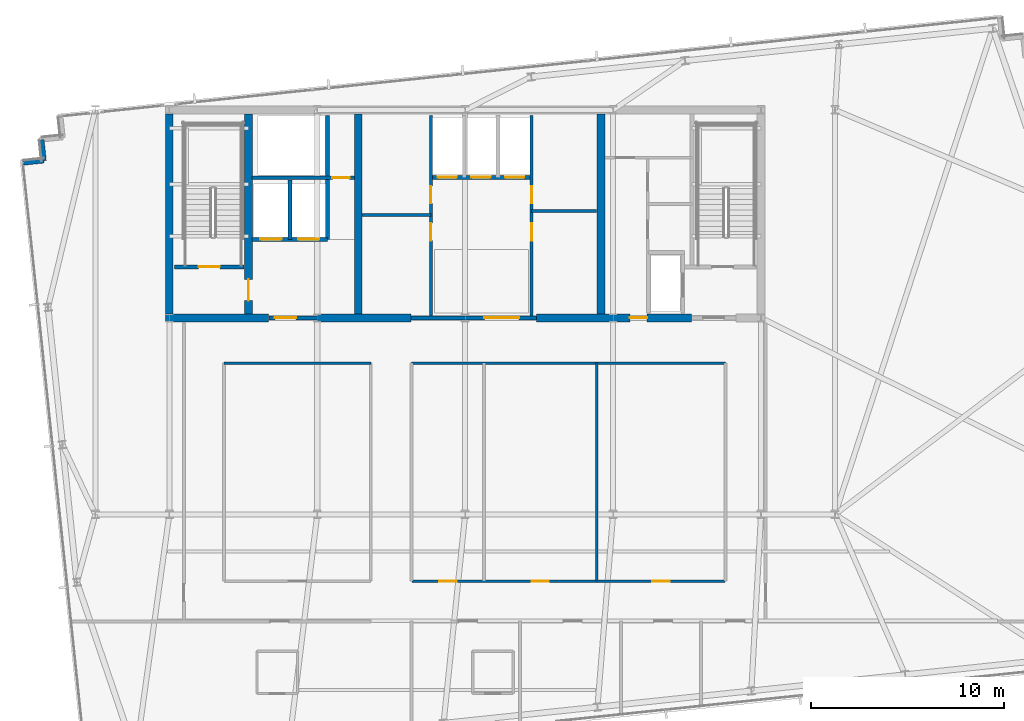
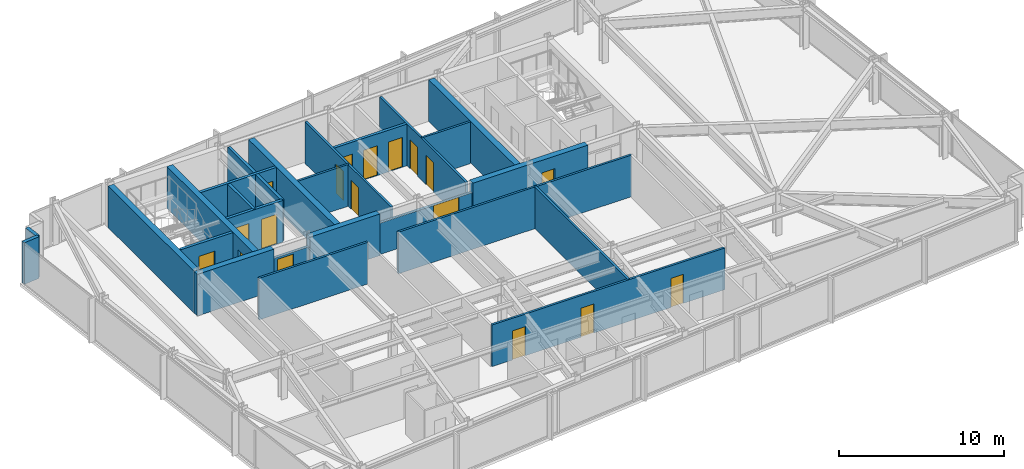
# One storey, part 27 of 32: 25 walls, 18 doors, 18 openings.
"""IFC4 building model written with IfcOpenShell, lengths in metres."""

import ifcopenshell
import ifcopenshell.guid

model = None  # the IFC model being written
_history = None  # IfcOwnerHistory: only IFC2X3 demands one
_inside = {}  # id of a spatial element -> (the spatial element, [elements in it])
_under = {}  # id of a project, library or spatial element -> (it, [spatial elements below it])
_declared = {}  # id of a project -> (the project, [libraries it declares])
_typed = {}  # id of a type object -> (the type object, [elements of that type])
_made_of = {}  # id of a material, layer set ... -> (it, [elements and type objects made of it])


def new_model(schema):
    """Start an empty IFC model of exactly this schema.

    Asked for "IFC4X3", IfcOpenShell would pick the latest addendum, in which some entities
    have other attributes; the version numbers below select the first issue.
    IFC2X3 requires an IfcOwnerHistory on every rooted entity: one is made here for all.
    """
    global model, _history
    if schema == "IFC4X3":
        model = ifcopenshell.file(schema_version=(4, 3, 0, 0))
    else:
        model = ifcopenshell.file(schema=schema)
    _inside.clear()
    _under.clear()
    _declared.clear()
    _typed.clear()
    _made_of.clear()
    _history = None
    if model.schema == "IFC2X3":
        org = make("IfcOrganization", Name="unknown")
        user = make(
            "IfcPersonAndOrganization",
            ThePerson=make("IfcPerson", FamilyName="unknown"),
            TheOrganization=org,
        )
        app = make(
            "IfcApplication",
            ApplicationDeveloper=org,
            Version="unknown",
            ApplicationFullName="unknown",
            ApplicationIdentifier="unknown",
        )
        _history = make(
            "IfcOwnerHistory",
            OwningUser=user,
            OwningApplication=app,
            ChangeAction="ADDED",
            CreationDate=0,
        )
    return model


def make(cls, **values):
    """One entity of the class cls with the attributes given. An attribute that is None is left unset."""
    return model.create_entity(
        cls, **{name: value for name, value in values.items() if value is not None}
    )


def rooted(cls, **values):
    """An entity with a GlobalId (a new one), such as an element, a storey or a relation."""
    return make(cls, GlobalId=ifcopenshell.guid.new(), OwnerHistory=_history, **values)


def si_unit(unit_type, name, prefix=None):
    """IfcSIUnit, for example si_unit("LENGTHUNIT", "METRE", prefix="MILLI")."""
    return make("IfcSIUnit", UnitType=unit_type, Prefix=prefix, Name=name)


def assignment(units):
    """IfcUnitAssignment: the units of a project."""
    return None if units is None else make("IfcUnitAssignment", Units=units)


def point(xyz):
    """IfcCartesianPoint."""
    return None if xyz is None else make("IfcCartesianPoint", Coordinates=xyz)


def direction(xyz):
    """IfcDirection."""
    return None if xyz is None else make("IfcDirection", DirectionRatios=xyz)


def frame(location, z_axis=None, x_axis=None):
    """IfcAxis2Placement3D, a coordinate frame: its origin and axes. An axis left out is left unset."""
    return make(
        "IfcAxis2Placement3D",
        Location=point(location),
        Axis=direction(z_axis),
        RefDirection=direction(x_axis),
    )


def frame_2d(location, x_axis=None):
    """IfcAxis2Placement2D, a coordinate frame in the plane: its origin and x axis."""
    return make(
        "IfcAxis2Placement2D", Location=point(location), RefDirection=direction(x_axis)
    )


def origin():
    """The frame at (0, 0, 0) with its axes left unset."""
    return frame((0.0, 0.0, 0.0))


def place(relative_to, where):
    """IfcLocalPlacement: puts the frame where relative to a parent placement (None: the world)."""
    return make(
        "IfcLocalPlacement", PlacementRelTo=relative_to, RelativePlacement=where
    )


def context(
    kind, dimensions, precision=None, world=None, true_north=None, identifier=None
):
    """IfcGeometricRepresentationContext, for example the 3D "Model" context."""
    return make(
        "IfcGeometricRepresentationContext",
        ContextIdentifier=identifier,
        ContextType=kind,
        CoordinateSpaceDimension=dimensions,
        Precision=precision,
        WorldCoordinateSystem=world,
        TrueNorth=true_north,
    )


def subcontext(parent, identifier, kind, view, scale=None):
    """IfcGeometricRepresentationSubContext, for example "Body" below "Model"."""
    return make(
        "IfcGeometricRepresentationSubContext",
        ContextIdentifier=identifier,
        ContextType=kind,
        ParentContext=parent,
        TargetScale=scale,
        TargetView=view,
    )


def project(units=None, contexts=None):
    """IfcProject with its units and contexts."""
    return rooted(
        "IfcProject",
        Name="project",
        RepresentationContexts=contexts,
        UnitsInContext=assignment(units),
    )


def spatial(cls, under=None, at=None, **own):
    """A site, building, storey or space (cls), placed at a placement, below another one or the project."""
    s = rooted(cls, ObjectPlacement=at, **own)
    if under is not None:
        _under.setdefault(under.id(), (under, []))[1].append(s)
    return s


def profile(cls, at=None, kind="AREA", **sizes):
    """A parametric profile (cls). Its sizes go by their IFC names, for example OverallWidth=200.0."""
    return make(cls, ProfileType=kind, Position=at, **sizes)


def rectangle(**sizes):
    """IfcRectangleProfileDef."""
    return profile("IfcRectangleProfileDef", **sizes)


def extrude(swept, where, along, depth):
    """IfcExtrudedAreaSolid: the profile swept, set in the frame where, extruded along a direction by depth."""
    return make(
        "IfcExtrudedAreaSolid",
        SweptArea=swept,
        Position=where,
        ExtrudedDirection=direction(along),
        Depth=depth,
    )


def shape(context_of_items, identifier, shape_type, items):
    """IfcShapeRepresentation: the items that make up one representation, for example the "Body"."""
    return make(
        "IfcShapeRepresentation",
        ContextOfItems=context_of_items,
        RepresentationIdentifier=identifier,
        RepresentationType=shape_type,
        Items=items,
    )


def material(Name=None, Category=None):
    """IfcMaterial."""
    return make("IfcMaterial", Name=Name, Category=Category)


def layer(
    of_material, thickness, ventilated=None, Name=None, Category=None, Priority=None
):
    """IfcMaterialLayer: one layer of a wall or slab, of a material (None: an air gap)."""
    return make(
        "IfcMaterialLayer",
        Material=of_material,
        LayerThickness=thickness,
        IsVentilated=ventilated,
        Name=Name,
        Category=Category,
        Priority=Priority,
    )


def layer_set(layers, Name=None):
    """IfcMaterialLayerSet."""
    return make("IfcMaterialLayerSet", MaterialLayers=layers, LayerSetName=Name)


def made_of(thing, what):
    """Note that an element or type object is made of a material, layer set ...; save() writes the relation."""
    if what is not None:
        _made_of.setdefault(what.id(), (what, []))[1].append(thing)
    return thing


def type_object(cls, material=None, **own):
    """A type object (cls), such as IfcWallType, which elements share."""
    return made_of(rooted(cls, **own), material)


def element(
    cls,
    number,
    at=None,
    inside=None,
    cuts=None,
    type_object=None,
    material=None,
    context=None,
    identifier="Body",
    shape_type=None,
    held_by="IfcProductDefinitionShape",
    body=None,
    shapes=None,
    **own,
):
    """One element of the class cls, such as IfcWall. Its Tag is "e" and its number.

    at: its placement. inside: the storey or other place that contains it. cuts: it is an
    opening in that element (IfcRelVoidsElement). A single representation is given by context,
    identifier, shape_type and body (its items); several are given by shapes. held_by: the class
    of the entity that holds the representations. save() writes the other relations.
    """
    e = rooted(cls, Tag="e%d" % number, ObjectPlacement=at, **own)
    if body is not None:
        shapes = [shape(context, identifier, shape_type, body)]
    if shapes is not None:
        e.Representation = make(held_by, Representations=shapes)
    if inside is not None:
        _inside.setdefault(inside.id(), (inside, []))[1].append(e)
    if cuts is not None:
        rooted(
            "IfcRelVoidsElement", RelatingBuildingElement=cuts, RelatedOpeningElement=e
        )
    if type_object is not None:
        _typed.setdefault(type_object.id(), (type_object, []))[1].append(e)
    return made_of(e, material)


def fill(opening, filler):
    """IfcRelFillsElement: the door or window that sits in an opening."""
    return rooted(
        "IfcRelFillsElement",
        RelatingOpeningElement=opening,
        RelatedBuildingElement=filler,
    )


def aggregate(whole, parts):
    """IfcRelAggregates: a whole, such as a stair, and the parts it consists of."""
    return rooted("IfcRelAggregates", RelatingObject=whole, RelatedObjects=parts)


def save(model, path):
    """Write the relations noted so far, then the file.

    IfcRelAggregates (storeys below a building ...), IfcRelContainedInSpatialStructure (elements
    in a storey), IfcRelDefinesByType, IfcRelAssociatesMaterial and IfcRelDeclares: one each for
    every whole, place, type object, material and project.
    """
    for whole, parts in _under.values():
        aggregate(whole, parts)
    for where, things in _inside.values():
        rooted(
            "IfcRelContainedInSpatialStructure",
            RelatedElements=things,
            RelatingStructure=where,
        )
    for kind, things in _typed.values():
        rooted("IfcRelDefinesByType", RelatedObjects=things, RelatingType=kind)
    for what, things in _made_of.values():
        rooted("IfcRelAssociatesMaterial", RelatedObjects=things, RelatingMaterial=what)
    for by, libraries in _declared.values():
        rooted("IfcRelDeclares", RelatingContext=by, RelatedDefinitions=libraries)
    model.write(path)


model = new_model("IFC4")

# Units and contexts
model_context = context("Model", 3, precision=1e-05, world=origin(), true_north=direction((0.0, 1.0)))
body_context = subcontext(model_context, "Body", "Model", "MODEL_VIEW")
ifc_project = project(units=[si_unit("LENGTHUNIT", "METRE"), si_unit("AREAUNIT", "SQUARE_METRE"), si_unit("VOLUMEUNIT", "CUBIC_METRE"), si_unit("PLANEANGLEUNIT", "RADIAN"), si_unit("MASSUNIT", "GRAM", prefix="KILO")], contexts=[model_context])

# Site, building, storey
site_placement = place(None, origin())
site = spatial("IfcSite", under=ifc_project, at=site_placement, CompositionType="ELEMENT")
building_placement = place(site_placement, origin())
building = spatial("IfcBuilding", under=site, at=building_placement, Name="Yelkora Congress Tower", CompositionType="ELEMENT")
storey_placement = place(building_placement, frame((0.0, 0.0, 211.10009765625)))
storey = spatial("IfcBuildingStorey", under=building, at=storey_placement, Name="L58", CompositionType="ELEMENT", Elevation=211.10009765625)

# Walls
ifc_material_1 = material(Name="Concrete C50/60", Category="concrete")
ifc_layer_1 = layer(ifc_material_1, 0.39990234375)
ifc_layer_set_1 = layer_set([ifc_layer_1], Name="Concrete C50/60")
wall_type_1 = type_object("IfcWallType", Name="WALL-CORE-INT-400", PredefinedType="SHEAR", material=ifc_layer_set_1)
wall_1_placement = place(storey_placement, frame((22.840087890625, 35.39990234375, 0.0), z_axis=(0.0, 0.0, 1.0), x_axis=(1.0, 0.0, 0.0)))
element("IfcWall", 1, at=wall_1_placement, inside=storey, type_object=wall_type_1, Name="L58 Rear Core South-West Shear Wall", PredefinedType="SHEAR", context=body_context, shape_type="SweptSolid", body=[
    extrude(rectangle(XDim=5.35986328125, YDim=0.39990234375, at=frame_2d((2.679931640625, 0.0))), origin(), (0.0, 0.0, 1.0), 3.079833984375),
])
wall_2_placement = place(storey_placement, frame((30.719970703125, 35.39990234375, 0.0), z_axis=(0.0, 0.0, 1.0), x_axis=(1.0, 0.0, 0.0)))
element("IfcWall", 2, at=wall_2_placement, inside=storey, type_object=wall_type_1, Name="L58 Rear Core South-Center Shear Pier", PredefinedType="SHEAR", context=body_context, shape_type="SweptSolid", body=[
    extrude(rectangle(XDim=4.880126953125, YDim=0.39990234375, at=frame_2d((2.43994140625, 0.0))), origin(), (0.0, 0.0, 1.0), 3.079833984375),
])

# Wall, opening, door
wall_3_placement = place(storey_placement, frame((42.10009765625, 35.39990234375, 0.0), z_axis=(0.0, 0.0, 1.0), x_axis=(1.0, 0.0, 0.0)))
wall_3 = element("IfcWall", 3, at=wall_3_placement, inside=storey, type_object=wall_type_1, Name="L58 Rear Core South-East Shear Wall A", PredefinedType="SHEAR", context=body_context, shape_type="SweptSolid", body=[
    extrude(rectangle(XDim=8.0498046875, YDim=0.39990234375, at=frame_2d((4.02490234375, 0.0))), origin(), (0.0, 0.0, 1.0), 3.079833984375),
])
opening_1_placement = place(wall_3_placement, frame((4.85009765625, 0.0, 0.0)))
opening_1 = element("IfcOpeningElement", 4, at=opening_1_placement, cuts=wall_3, Name="Opening DR-090F6", PredefinedType="OPENING", context=body_context, shape_type="SweptSolid", body=[
    extrude(rectangle(XDim=0.89990234375, YDim=2.14990234375, at=frame_2d((0.449951171875, 1.074951171875))), frame((0.0, 0.2099609375, 0.0), z_axis=(0.0, -1.0, 0.0), x_axis=(1.0, 0.0, 0.0)), (0.0, 0.0, 1.0), 0.419921875),
])
ifc_material_2 = material(Name="Painted steel riser fire door leaf", Category="steel")
door_type_1 = type_object("IfcDoorType", Name="DOOR-FD60-900", OperationType="NOTDEFINED", PredefinedType="DOOR", material=ifc_material_2)
door_1_placement = place(opening_1_placement, origin())
door_1 = element("IfcDoor", 5, at=door_1_placement, inside=storey, type_object=door_type_1, Name="L58 Core Washroom Lobby Door", OperationType="SINGLE_SWING_RIGHT", OverallHeight=2.14990234375, OverallWidth=0.89990234375, PredefinedType="DOOR", context=body_context, shape_type="SweptSolid", body=[
    extrude(rectangle(XDim=0.89990234375, YDim=2.14990234375, at=frame_2d((0.449951171875, 1.074951171875))), frame((0.0, 0.02490234375, 0.0), z_axis=(0.0, -1.0, 0.0), x_axis=(1.0, 0.0, 0.0)), (0.0, 0.0, 1.0), 0.050048828125),
])
fill(opening_1, door_1)

# Wall
wall_4_placement = place(storey_placement, frame((23.0400390625, 35.60009765625, 0.0), z_axis=(0.0, 0.0, 1.0), x_axis=(0.0, 1.0, 0.0)))
element("IfcWall", 6, at=wall_4_placement, inside=storey, type_object=wall_type_1, Name="L58 Rear Core Cross Shear Wall W", PredefinedType="SHEAR", context=body_context, shape_type="SweptSolid", body=[
    extrude(rectangle(XDim=10.39990234375, YDim=0.39990234375, at=frame_2d((5.199951171875, 0.0))), origin(), (0.0, 0.0, 1.0), 3.079833984375),
])

# Wall, opening, door
wall_5_placement = place(storey_placement, frame((27.14990234375, 35.60009765625, 0.0), z_axis=(0.0, 0.0, 1.0), x_axis=(0.0, 1.0, 0.0)))
wall_5 = element("IfcWall", 7, at=wall_5_placement, inside=storey, type_object=wall_type_1, Name="L58 Rear Core Cross Shear Wall C1", PredefinedType="SHEAR", context=body_context, shape_type="SweptSolid", body=[
    extrude(rectangle(XDim=10.39990234375, YDim=0.39990234375, at=frame_2d((5.199951171875, 0.0))), origin(), (0.0, 0.0, 1.0), 3.079833984375),
])
opening_2_placement = place(wall_5_placement, frame((0.699951171875, 0.0, 0.0)))
opening_2 = element("IfcOpeningElement", 8, at=opening_2_placement, cuts=wall_5, Name="Opening DR-110F9", PredefinedType="OPENING", context=body_context, shape_type="SweptSolid", body=[
    extrude(rectangle(XDim=1.10009765625, YDim=2.14990234375, at=frame_2d((0.550048828125, 1.074951171875))), frame((0.0, 0.2099609375, 0.0), z_axis=(0.0, -1.0, 0.0), x_axis=(1.0, 0.0, 0.0)), (0.0, 0.0, 1.0), 0.419921875),
])
ifc_material_3 = material(Name="Galvanised steel fire door leaf", Category="steel")
door_type_2 = type_object("IfcDoorType", Name="DOOR-FD90-1100", OperationType="NOTDEFINED", PredefinedType="DOOR", material=ifc_material_3)
door_2_placement = place(opening_2_placement, origin())
door_2 = element("IfcDoor", 9, at=door_2_placement, inside=storey, type_object=door_type_2, Name="L58 Firefighting Stair Transfer Door", OperationType="SINGLE_SWING_LEFT", OverallHeight=2.14990234375, OverallWidth=1.10009765625, PredefinedType="DOOR", context=body_context, shape_type="SweptSolid", body=[
    extrude(rectangle(XDim=1.10009765625, YDim=2.14990234375, at=frame_2d((0.550048828125, 1.074951171875))), frame((0.0, 0.02490234375, 0.0), z_axis=(0.0, -1.0, 0.0), x_axis=(1.0, 0.0, 0.0)), (0.0, 0.0, 1.0), 0.050048828125),
])
fill(opening_2, door_2)

# Walls
for number, where, z_axis, x_axis, name in (
    (10, (32.85009765625, 35.60009765625, 0.0), (0.0, 0.0, 1.0), (0.0, 1.0, 0.0), "L58 Rear Core Cross Shear Wall C2"),
    (11, (45.449951171875, 35.60009765625, 0.0), (0.0, 0.0, 1.0), (0.0, 1.0, 0.0), "L58 Rear Core Cross Shear Wall C3"),
):
    element("IfcWall", number, at=place(storey_placement, frame(where, z_axis=z_axis, x_axis=x_axis)), inside=storey, type_object=wall_type_1, Name=name, PredefinedType="SHEAR", context=body_context, shape_type="SweptSolid", body=[
        extrude(rectangle(XDim=10.39990234375, YDim=0.39990234375, at=frame_2d((5.199951171875, 0.0))), origin(), (0.0, 0.0, 1.0), 3.079833984375),
    ])
ifc_material_4 = material(Name="Concrete C40/50", Category="concrete")
ifc_layer_2 = layer(ifc_material_4, 0.239990234375)
ifc_layer_set_2 = layer_set([ifc_layer_2], Name="Concrete C40/50")
wall_type_2 = type_object("IfcWallType", Name="WALL-EXT-LIMESTONE-240", PredefinedType="SOLIDWALL", material=ifc_layer_set_2)
wall_6_placement = place(storey_placement, frame((15.441162109375, 43.444580078125, 0.0), z_axis=(0.0, 0.0, 1.0), x_axis=(0.994495717747, 0.104777227405, 0.0)))
element("IfcWall", 12, at=wall_6_placement, inside=storey, type_object=wall_type_2, Name="L58 Serrated Corner Limestone Pier 6", PredefinedType="SOLIDWALL", context=body_context, shape_type="SweptSolid", body=[
    extrude(rectangle(XDim=1.099853515625, YDim=0.239990234375, at=frame_2d((0.5498046875, 0.0))), origin(), (0.0, 0.0, 1.0), 3.079833984375),
])
wall_7_placement = place(storey_placement, frame((16.534912109375, 43.559814453125, 0.0), z_axis=(0.0, 0.0, 1.0), x_axis=(-0.104315068386, 0.994544300928, 0.0)))
element("IfcWall", 13, at=wall_7_placement, inside=storey, type_object=wall_type_2, Name="L58 Serrated Corner Limestone Pier 7", PredefinedType="SOLIDWALL", context=body_context, shape_type="SweptSolid", body=[
    extrude(rectangle(XDim=1.10009765625, YDim=0.239990234375, at=frame_2d((0.550048828125, 0.0))), origin(), (0.0, 0.0, 1.0), 3.079833984375),
])
ifc_material_5 = material(Name="Acoustic metal-stud gypsum partition", Category="gypsum")
ifc_layer_3 = layer(ifc_material_5, 0.14990234375)
ifc_layer_set_3 = layer_set([ifc_layer_3], Name="Acoustic metal-stud gypsum partition")
wall_type_3 = type_object("IfcWallType", Name="WALL-INT-150-NR", PredefinedType="PARTITIONING", material=ifc_layer_set_3)
wall_8_placement = place(storey_placement, frame((25.8798828125, 33.050048828125, 0.0), z_axis=(0.0, 0.0, 1.0), x_axis=(1.0, 0.0, 0.0)))
element("IfcWall", 14, at=wall_8_placement, inside=storey, type_object=wall_type_3, Name="L58 Partition Wall 43", PredefinedType="PARTITIONING", context=body_context, shape_type="SweptSolid", body=[
    extrude(rectangle(XDim=7.6201171875, YDim=0.14990234375, at=frame_2d((3.81005859375, 0.0))), origin(), (0.0, 0.0, 1.0), 3.079833984375),
])
wall_9_placement = place(storey_placement, frame((35.6201171875, 33.050048828125, 0.0), z_axis=(0.0, 0.0, 1.0), x_axis=(1.0, 0.0, 0.0)))
element("IfcWall", 15, at=wall_9_placement, inside=storey, type_object=wall_type_3, Name="L58 Partition Wall 44", PredefinedType="PARTITIONING", context=body_context, shape_type="SweptSolid", body=[
    extrude(rectangle(XDim=16.2998046875, YDim=0.14990234375, at=frame_2d((8.14990234375, 0.0))), origin(), (0.0, 0.0, 1.0), 3.079833984375),
])
wall_10_placement = place(storey_placement, frame((45.22900390625, 21.72998046875, 0.0), z_axis=(0.0, 0.0, 1.0), x_axis=(0.0, 1.0, 0.0)))
element("IfcWall", 16, at=wall_10_placement, inside=storey, type_object=wall_type_3, Name="L58 Partition Wall 47", PredefinedType="PARTITIONING", context=body_context, shape_type="SweptSolid", body=[
    extrude(rectangle(XDim=11.320068359375, YDim=0.14990234375, at=frame_2d((5.66015625, 0.0))), origin(), (0.0, 0.0, 1.0), 3.079833984375),
])

# Wall, openings, doors
wall_11_placement = place(storey_placement, frame((35.6298828125, 21.72998046875, 0.0), z_axis=(0.0, 0.0, 1.0), x_axis=(1.0, 0.0, 0.0)))
wall_11 = element("IfcWall", 17, at=wall_11_placement, inside=storey, type_object=wall_type_3, Name="L58 Partition Wall 48", PredefinedType="PARTITIONING", context=body_context, shape_type="SweptSolid", body=[
    extrude(rectangle(XDim=16.27001953125, YDim=0.14990234375, at=frame_2d((8.135009765625, 0.0))), origin(), (0.0, 0.0, 1.0), 3.079833984375),
])
opening_3_placement = place(wall_11_placement, frame((1.4208984375, 0.0, 0.0)))
opening_3 = element("IfcOpeningElement", 18, at=opening_3_placement, cuts=wall_11, Name="Opening DR-090N", PredefinedType="OPENING", context=body_context, shape_type="SweptSolid", body=[
    extrude(rectangle(XDim=0.89990234375, YDim=2.14990234375, at=frame_2d((0.449951171875, 1.074951171875))), frame((0.0, 0.0849609375, 0.0), z_axis=(0.0, -1.0, 0.0), x_axis=(1.0, 0.0, 0.0)), (0.0, 0.0, 1.0), 0.169921875),
])
opening_4_placement = place(wall_11_placement, frame((6.220458984375, 0.0, 0.0)))
opening_4 = element("IfcOpeningElement", 19, at=opening_4_placement, cuts=wall_11, Name="Opening DR-090N", PredefinedType="OPENING", context=body_context, shape_type="SweptSolid", body=[
    extrude(rectangle(XDim=0.89990234375, YDim=2.14990234375, at=frame_2d((0.449951171875, 1.074951171875))), frame((0.0, 0.0849609375, 0.0), z_axis=(0.0, -1.0, 0.0), x_axis=(1.0, 0.0, 0.0)), (0.0, 0.0, 1.0), 0.169921875),
])
opening_5_placement = place(wall_11_placement, frame((12.484619140625, 0.0, 0.0)))
opening_5 = element("IfcOpeningElement", 20, at=opening_5_placement, cuts=wall_11, Name="Opening DR-090N", PredefinedType="OPENING", context=body_context, shape_type="SweptSolid", body=[
    extrude(rectangle(XDim=0.89990234375, YDim=2.14990234375, at=frame_2d((0.449951171875, 1.074951171875))), frame((0.0, 0.0849609375, 0.0), z_axis=(0.0, -1.0, 0.0), x_axis=(1.0, 0.0, 0.0)), (0.0, 0.0, 1.0), 0.169921875),
])
ifc_material_6 = material(Name="Moisture-resistant laminate door leaf", Category="wood")
door_type_3 = type_object("IfcDoorType", Name="DOOR-INT-900", OperationType="NOTDEFINED", PredefinedType="DOOR", material=ifc_material_6)
door_3_placement = place(opening_3_placement, origin())
door_3 = element("IfcDoor", 21, at=door_3_placement, inside=storey, type_object=door_type_3, Name="L58 Diplomatic Day Lounge Door", OperationType="SINGLE_SWING_RIGHT", OverallHeight=2.14990234375, OverallWidth=0.89990234375, PredefinedType="DOOR", context=body_context, shape_type="SweptSolid", body=[
    extrude(rectangle(XDim=0.89990234375, YDim=2.14990234375, at=frame_2d((0.449951171875, 1.074951171875))), frame((0.0, 0.02490234375, 0.0), z_axis=(0.0, -1.0, 0.0), x_axis=(1.0, 0.0, 0.0)), (0.0, 0.0, 1.0), 0.050048828125),
])
fill(opening_3, door_3)
door_4_placement = place(opening_4_placement, origin())
door_4 = element("IfcDoor", 22, at=door_4_placement, inside=storey, type_object=door_type_3, Name="L58 First-Aid Treatment Room Door", OperationType="SINGLE_SWING_LEFT", OverallHeight=2.14990234375, OverallWidth=0.89990234375, PredefinedType="DOOR", context=body_context, shape_type="SweptSolid", body=[
    extrude(rectangle(XDim=0.89990234375, YDim=2.14990234375, at=frame_2d((0.449951171875, 1.074951171875))), frame((0.0, 0.02490234375, 0.0), z_axis=(0.0, -1.0, 0.0), x_axis=(1.0, 0.0, 0.0)), (0.0, 0.0, 1.0), 0.050048828125),
])
fill(opening_4, door_4)
door_5_placement = place(opening_5_placement, origin())
door_5 = element("IfcDoor", 23, at=door_5_placement, inside=storey, type_object=door_type_3, Name="L58 Wellness Consult Room Door", OperationType="SINGLE_SWING_RIGHT", OverallHeight=2.14990234375, OverallWidth=0.89990234375, PredefinedType="DOOR", context=body_context, shape_type="SweptSolid", body=[
    extrude(rectangle(XDim=0.89990234375, YDim=2.14990234375, at=frame_2d((0.449951171875, 1.074951171875))), frame((0.0, 0.02490234375, 0.0), z_axis=(0.0, -1.0, 0.0), x_axis=(1.0, 0.0, 0.0)), (0.0, 0.0, 1.0), 0.050048828125),
])
fill(opening_5, door_5)

# Wall
ifc_material_7 = material(Name="Twin-stud fire-rated gypsum partition", Category="gypsum")
ifc_layer_4 = layer(ifc_material_7, 0.14990234375)
ifc_layer_set_4 = layer_set([ifc_layer_4], Name="Twin-stud fire-rated gypsum partition")
wall_type_4 = type_object("IfcWallType", Name="WALL-INT-150-R60", PredefinedType="PARTITIONING", material=ifc_layer_set_4)
wall_12_placement = place(storey_placement, frame((33.050048828125, 40.75, 0.0), z_axis=(0.0, 0.0, 1.0), x_axis=(1.0, 0.0, 0.0)))
element("IfcWall", 24, at=wall_12_placement, inside=storey, type_object=wall_type_4, Name="L58 Partition Wall 11", PredefinedType="PARTITIONING", context=body_context, shape_type="SweptSolid", body=[
    extrude(rectangle(XDim=3.570068359375, YDim=0.14990234375, at=frame_2d((1.78515625, 0.0))), origin(), (0.0, 0.0, 1.0), 3.079833984375),
])

# Wall, openings, doors
wall_13_placement = place(storey_placement, frame((36.6201171875, 35.5, 0.0), z_axis=(0.0, 0.0, 1.0), x_axis=(0.0, 1.0, 0.0)))
wall_13 = element("IfcWall", 25, at=wall_13_placement, inside=storey, type_object=wall_type_4, Name="L58 Partition Wall 12", PredefinedType="PARTITIONING", context=body_context, shape_type="SweptSolid", body=[
    extrude(rectangle(XDim=10.419921875, YDim=0.14990234375, at=frame_2d((5.2099609375, 0.0))), origin(), (0.0, 0.0, 1.0), 3.079833984375),
])
opening_6_placement = place(wall_13_placement, frame((3.919921875, 0.0, 0.0)))
opening_6 = element("IfcOpeningElement", 26, at=opening_6_placement, cuts=wall_13, Name="Opening DR-090F6", PredefinedType="OPENING", context=body_context, shape_type="SweptSolid", body=[
    extrude(rectangle(XDim=0.89990234375, YDim=2.14990234375, at=frame_2d((0.449951171875, 1.074951171875))), frame((0.0, 0.0849609375, 0.0), z_axis=(0.0, -1.0, 0.0), x_axis=(1.0, 0.0, 0.0)), (0.0, 0.0, 1.0), 0.169921875),
])
opening_7_placement = place(wall_13_placement, frame((5.85009765625, 0.0, 0.0)))
opening_7 = element("IfcOpeningElement", 27, at=opening_7_placement, cuts=wall_13, Name="Opening DR-090F6", PredefinedType="OPENING", context=body_context, shape_type="SweptSolid", body=[
    extrude(rectangle(XDim=0.89990234375, YDim=2.14990234375, at=frame_2d((0.449951171875, 1.074951171875))), frame((0.0, 0.0849609375, 0.0), z_axis=(0.0, -1.0, 0.0), x_axis=(1.0, 0.0, 0.0)), (0.0, 0.0, 1.0), 0.169921875),
])
door_6_placement = place(opening_6_placement, origin())
door_6 = element("IfcDoor", 28, at=door_6_placement, inside=storey, type_object=door_type_1, Name="L58 Telecom Store Door", OperationType="SINGLE_SWING_RIGHT", OverallHeight=2.14990234375, OverallWidth=0.89990234375, PredefinedType="DOOR", context=body_context, shape_type="SweptSolid", body=[
    extrude(rectangle(XDim=0.89990234375, YDim=2.14990234375, at=frame_2d((0.449951171875, 1.074951171875))), frame((0.0, 0.02490234375, 0.0), z_axis=(0.0, -1.0, 0.0), x_axis=(1.0, 0.0, 0.0)), (0.0, 0.0, 1.0), 0.050048828125),
])
fill(opening_6, door_6)
door_7_placement = place(opening_7_placement, origin())
door_7 = element("IfcDoor", 29, at=door_7_placement, inside=storey, type_object=door_type_1, Name="L58 Archive Store Door", OperationType="SINGLE_SWING_LEFT", OverallHeight=2.14990234375, OverallWidth=0.89990234375, PredefinedType="DOOR", context=body_context, shape_type="SweptSolid", body=[
    extrude(rectangle(XDim=0.89990234375, YDim=2.14990234375, at=frame_2d((0.449951171875, 1.074951171875))), frame((0.0, 0.02490234375, 0.0), z_axis=(0.0, -1.0, 0.0), x_axis=(1.0, 0.0, 0.0)), (0.0, 0.0, 1.0), 0.050048828125),
])
fill(opening_7, door_7)

# Wall
wall_14_placement = place(storey_placement, frame((41.85009765625, 40.949951171875, 0.0), z_axis=(0.0, 0.0, 1.0), x_axis=(1.0, 0.0, 0.0)))
element("IfcWall", 30, at=wall_14_placement, inside=storey, type_object=wall_type_4, Name="L58 Partition Wall 13", PredefinedType="PARTITIONING", context=body_context, shape_type="SweptSolid", body=[
    extrude(rectangle(XDim=3.369873046875, YDim=0.14990234375, at=frame_2d((1.68505859375, 0.0))), origin(), (0.0, 0.0, 1.0), 3.079833984375),
])

# Wall, openings, doors
wall_15_placement = place(storey_placement, frame((41.85009765625, 35.5, 0.0), z_axis=(0.0, 0.0, 1.0), x_axis=(0.0, 1.0, 0.0)))
wall_15 = element("IfcWall", 31, at=wall_15_placement, inside=storey, type_object=wall_type_4, Name="L58 Partition Wall 14", PredefinedType="PARTITIONING", context=body_context, shape_type="SweptSolid", body=[
    extrude(rectangle(XDim=10.419921875, YDim=0.14990234375, at=frame_2d((5.2099609375, 0.0))), origin(), (0.0, 0.0, 1.0), 3.079833984375),
])
opening_8_placement = place(wall_15_placement, frame((3.919921875, 0.0, 0.0)))
opening_8 = element("IfcOpeningElement", 32, at=opening_8_placement, cuts=wall_15, Name="Opening DR-090F6", PredefinedType="OPENING", context=body_context, shape_type="SweptSolid", body=[
    extrude(rectangle(XDim=0.89990234375, YDim=2.14990234375, at=frame_2d((0.449951171875, 1.074951171875))), frame((0.0, 0.0849609375, 0.0), z_axis=(0.0, -1.0, 0.0), x_axis=(1.0, 0.0, 0.0)), (0.0, 0.0, 1.0), 0.169921875),
])
opening_9_placement = place(wall_15_placement, frame((5.85009765625, 0.0, 0.0)))
opening_9 = element("IfcOpeningElement", 33, at=opening_9_placement, cuts=wall_15, Name="Opening DR-090F6", PredefinedType="OPENING", context=body_context, shape_type="SweptSolid", body=[
    extrude(rectangle(XDim=0.89990234375, YDim=2.14990234375, at=frame_2d((0.449951171875, 1.074951171875))), frame((0.0, 0.0849609375, 0.0), z_axis=(0.0, -1.0, 0.0), x_axis=(1.0, 0.0, 0.0)), (0.0, 0.0, 1.0), 0.169921875),
])
door_8_placement = place(opening_8_placement, origin())
door_8 = element("IfcDoor", 34, at=door_8_placement, inside=storey, type_object=door_type_1, Name="L58 High-Zone BMS Door", OperationType="SINGLE_SWING_RIGHT", OverallHeight=2.14990234375, OverallWidth=0.89990234375, PredefinedType="DOOR", context=body_context, shape_type="SweptSolid", body=[
    extrude(rectangle(XDim=0.89990234375, YDim=2.14990234375, at=frame_2d((0.449951171875, 1.074951171875))), frame((0.0, 0.02490234375, 0.0), z_axis=(0.0, -1.0, 0.0), x_axis=(1.0, 0.0, 0.0)), (0.0, 0.0, 1.0), 0.050048828125),
])
fill(opening_8, door_8)
door_9_placement = place(opening_9_placement, origin())
door_9 = element("IfcDoor", 35, at=door_9_placement, inside=storey, type_object=door_type_1, Name="L58 Linen Store Door", OperationType="SINGLE_SWING_LEFT", OverallHeight=2.14990234375, OverallWidth=0.89990234375, PredefinedType="DOOR", context=body_context, shape_type="SweptSolid", body=[
    extrude(rectangle(XDim=0.89990234375, YDim=2.14990234375, at=frame_2d((0.449951171875, 1.074951171875))), frame((0.0, 0.02490234375, 0.0), z_axis=(0.0, -1.0, 0.0), x_axis=(1.0, 0.0, 0.0)), (0.0, 0.0, 1.0), 0.050048828125),
])
fill(opening_9, door_9)

# Wall, opening, door
ifc_material_8 = material(Name="Autoclaved aerated concrete blockwork", Category="masonry")
ifc_layer_5 = layer(ifc_material_8, 0.199951171875)
ifc_layer_set_5 = layer_set([ifc_layer_5], Name="Autoclaved aerated concrete blockwork")
wall_type_5 = type_object("IfcWallType", Name="WALL-INT-200-R120", PredefinedType="PARTITIONING", material=ifc_layer_set_5)
wall_16_placement = place(storey_placement, frame((23.300048828125, 38.050048828125, 0.0), z_axis=(0.0, 0.0, 1.0), x_axis=(1.0, 0.0, 0.0)))
wall_16 = element("IfcWall", 36, at=wall_16_placement, inside=storey, type_object=wall_type_5, Name="L58 Stair ST-01 Enclosure Wall", PredefinedType="PARTITIONING", context=body_context, shape_type="SweptSolid", body=[
    extrude(rectangle(XDim=3.619873046875, YDim=0.199951171875, at=frame_2d((1.81005859375, 0.0))), origin(), (0.0, 0.0, 1.0), 3.079833984375),
])
opening_10_placement = place(wall_16_placement, frame((1.260009765625, 0.0, 0.0)))
opening_10 = element("IfcOpeningElement", 37, at=opening_10_placement, cuts=wall_16, Name="Opening DR-110F9", PredefinedType="OPENING", context=body_context, shape_type="SweptSolid", body=[
    extrude(rectangle(XDim=1.10009765625, YDim=2.14990234375, at=frame_2d((0.550048828125, 1.074951171875))), frame((0.0, 0.10986328125, 0.0), z_axis=(0.0, -1.0, 0.0), x_axis=(1.0, 0.0, 0.0)), (0.0, 0.0, 1.0), 0.219970703125),
])
door_10_placement = place(opening_10_placement, origin())
door_10 = element("IfcDoor", 38, at=door_10_placement, inside=storey, type_object=door_type_2, Name="L58 Stair ST-01 Entry Door", OperationType="SINGLE_SWING_LEFT", OverallHeight=2.14990234375, OverallWidth=1.10009765625, PredefinedType="DOOR", context=body_context, shape_type="SweptSolid", body=[
    extrude(rectangle(XDim=1.10009765625, YDim=2.14990234375, at=frame_2d((0.550048828125, 1.074951171875))), frame((0.0, 0.02490234375, 0.0), z_axis=(0.0, -1.0, 0.0), x_axis=(1.0, 0.0, 0.0)), (0.0, 0.0, 1.0), 0.050048828125),
])
fill(opening_10, door_10)

wall_17_placement = place(storey_placement, frame((28.219970703125, 35.39990234375, 0.0), z_axis=(0.0, 0.0, 1.0), x_axis=(1.0, 0.0, 0.0)))
wall_17 = element("IfcWall", 39, at=wall_17_placement, inside=storey, type_object=wall_type_5, Name="L58 Firefighting Lobby South Wall", PredefinedType="PARTITIONING", context=body_context, shape_type="SweptSolid", body=[
    extrude(rectangle(XDim=2.5, YDim=0.199951171875, at=frame_2d((1.25, 0.0))), origin(), (0.0, 0.0, 1.0), 2.31298828125),
])
opening_11_placement = place(wall_17_placement, frame((0.300048828125, 0.0, 0.0)))
opening_11 = element("IfcOpeningElement", 40, at=opening_11_placement, cuts=wall_17, Name="Opening DR-110F9", PredefinedType="OPENING", context=body_context, shape_type="SweptSolid", body=[
    extrude(rectangle(XDim=1.10009765625, YDim=2.14990234375, at=frame_2d((0.550048828125, 1.074951171875))), frame((0.0, 0.10986328125, 0.0), z_axis=(0.0, -1.0, 0.0), x_axis=(1.0, 0.0, 0.0)), (0.0, 0.0, 1.0), 0.219970703125),
])
door_11_placement = place(opening_11_placement, origin())
door_11 = element("IfcDoor", 41, at=door_11_placement, inside=storey, type_object=door_type_2, Name="L58 Firefighting Lobby Corridor Door", OperationType="SINGLE_SWING_RIGHT", OverallHeight=2.14990234375, OverallWidth=1.10009765625, PredefinedType="DOOR", context=body_context, shape_type="SweptSolid", body=[
    extrude(rectangle(XDim=1.10009765625, YDim=2.14990234375, at=frame_2d((0.550048828125, 1.074951171875))), frame((0.0, 0.02490234375, 0.0), z_axis=(0.0, -1.0, 0.0), x_axis=(1.0, 0.0, 0.0)), (0.0, 0.0, 1.0), 0.050048828125),
])
fill(opening_11, door_11)

# Wall, openings, doors
wall_18_placement = place(storey_placement, frame((27.320068359375, 39.47998046875, 0.0), z_axis=(0.0, 0.0, 1.0), x_axis=(1.0, 0.0, 0.0)))
wall_18 = element("IfcWall", 42, at=wall_18_placement, inside=storey, type_object=wall_type_5, Name="L58 Firefighting Lift Front Wall", PredefinedType="PARTITIONING", context=body_context, shape_type="SweptSolid", body=[
    extrude(rectangle(XDim=3.93994140625, YDim=0.199951171875, at=frame_2d((1.969970703125, 0.0))), origin(), (0.0, 0.0, 1.0), 3.079833984375),
])
opening_12_placement = place(wall_18_placement, frame((0.449951171875, 0.0, 0.0)))
opening_12 = element("IfcOpeningElement", 43, at=opening_12_placement, cuts=wall_18, Name="Opening LD-FF11", PredefinedType="OPENING", context=body_context, shape_type="SweptSolid", body=[
    extrude(rectangle(XDim=1.10009765625, YDim=2.199951171875, at=frame_2d((0.550048828125, 1.10009765625))), frame((0.0, 0.10986328125, 0.0), z_axis=(0.0, -1.0, 0.0), x_axis=(1.0, 0.0, 0.0)), (0.0, 0.0, 1.0), 0.219970703125),
])
opening_13_placement = place(wall_18_placement, frame((2.409912109375, 0.0, 0.0)))
opening_13 = element("IfcOpeningElement", 44, at=opening_13_placement, cuts=wall_18, Name="Opening LD-FF11", PredefinedType="OPENING", context=body_context, shape_type="SweptSolid", body=[
    extrude(rectangle(XDim=1.10009765625, YDim=2.199951171875, at=frame_2d((0.550048828125, 1.10009765625))), frame((0.0, 0.10986328125, 0.0), z_axis=(0.0, -1.0, 0.0), x_axis=(1.0, 0.0, 0.0)), (0.0, 0.0, 1.0), 0.219970703125),
])
ifc_material_9 = material(Name="Brushed stainless steel 316L landing door", Category="steel")
door_type_4 = type_object("IfcDoorType", Name="DOOR-LIFT-FF-1100", OperationType="DOUBLE_DOOR_SLIDING", PredefinedType="DOOR", material=ifc_material_9)
door_12_placement = place(opening_12_placement, origin())
door_12 = element("IfcDoor", 45, at=door_12_placement, inside=storey, type_object=door_type_4, Name="Lift Landing Door LF-FF1 L58", OperationType="DOUBLE_DOOR_SLIDING", OverallHeight=2.199951171875, OverallWidth=1.10009765625, PredefinedType="DOOR", context=body_context, shape_type="SweptSolid", body=[
    extrude(rectangle(XDim=1.10009765625, YDim=2.199951171875, at=frame_2d((0.550048828125, 1.10009765625))), frame((0.0, 0.02490234375, 0.0), z_axis=(0.0, -1.0, 0.0), x_axis=(1.0, 0.0, 0.0)), (0.0, 0.0, 1.0), 0.050048828125),
])
fill(opening_12, door_12)
door_13_placement = place(opening_13_placement, origin())
door_13 = element("IfcDoor", 46, at=door_13_placement, inside=storey, type_object=door_type_4, Name="Lift Landing Door LF-FF2 L58", OperationType="DOUBLE_DOOR_SLIDING", OverallHeight=2.199951171875, OverallWidth=1.10009765625, PredefinedType="DOOR", context=body_context, shape_type="SweptSolid", body=[
    extrude(rectangle(XDim=1.10009765625, YDim=2.199951171875, at=frame_2d((0.550048828125, 1.10009765625))), frame((0.0, 0.02490234375, 0.0), z_axis=(0.0, -1.0, 0.0), x_axis=(1.0, 0.0, 0.0)), (0.0, 0.0, 1.0), 0.050048828125),
])
fill(opening_13, door_13)

# Walls
wall_19_placement = place(storey_placement, frame((29.300048828125, 39.47998046875, 0.0), z_axis=(0.0, 0.0, 1.0), x_axis=(0.0, 1.0, 0.0)))
element("IfcWall", 47, at=wall_19_placement, inside=storey, type_object=wall_type_5, Name="L58 Partition Wall 4", PredefinedType="PARTITIONING", context=body_context, shape_type="SweptSolid", body=[
    extrude(rectangle(XDim=3.070068359375, YDim=0.199951171875, at=frame_2d((1.53515625, 0.0))), origin(), (0.0, 0.0, 1.0), 3.079833984375),
])
wall_20_placement = place(storey_placement, frame((31.260009765625, 39.47998046875, 0.0), z_axis=(0.0, 0.0, 1.0), x_axis=(0.0, 1.0, 0.0)))
element("IfcWall", 48, at=wall_20_placement, inside=storey, type_object=wall_type_5, Name="L58 Partition Wall 5", PredefinedType="PARTITIONING", context=body_context, shape_type="SweptSolid", body=[
    extrude(rectangle(XDim=6.43994140625, YDim=0.199951171875, at=frame_2d((3.219970703125, 0.0))), origin(), (0.0, 0.0, 1.0), 3.079833984375),
])

# Wall, opening, door
wall_21_placement = place(storey_placement, frame((27.320068359375, 42.679931640625, 0.0), z_axis=(0.0, 0.0, 1.0), x_axis=(1.0, 0.0, 0.0)))
wall_21 = element("IfcWall", 49, at=wall_21_placement, inside=storey, type_object=wall_type_5, Name="L58 Smoke Riser South Wall", PredefinedType="PARTITIONING", context=body_context, shape_type="SweptSolid", body=[
    extrude(rectangle(XDim=5.329833984375, YDim=0.199951171875, at=frame_2d((2.6650390625, 0.0))), origin(), (0.0, 0.0, 1.0), 3.079833984375),
])
opening_14_placement = place(wall_21_placement, frame((4.179931640625, 0.0, 0.0)))
opening_14 = element("IfcOpeningElement", 50, at=opening_14_placement, cuts=wall_21, Name="Opening DR-090F6", PredefinedType="OPENING", context=body_context, shape_type="SweptSolid", body=[
    extrude(rectangle(XDim=0.89990234375, YDim=2.14990234375, at=frame_2d((0.449951171875, 1.074951171875))), frame((0.0, 0.10986328125, 0.0), z_axis=(0.0, -1.0, 0.0), x_axis=(1.0, 0.0, 0.0)), (0.0, 0.0, 1.0), 0.219970703125),
])
door_14_placement = place(opening_14_placement, origin())
door_14 = element("IfcDoor", 51, at=door_14_placement, inside=storey, type_object=door_type_1, Name="L58 Riser Access Door", OperationType="SINGLE_SWING_LEFT", OverallHeight=2.14990234375, OverallWidth=0.89990234375, PredefinedType="DOOR", context=body_context, shape_type="SweptSolid", body=[
    extrude(rectangle(XDim=0.89990234375, YDim=2.14990234375, at=frame_2d((0.449951171875, 1.074951171875))), frame((0.0, 0.02490234375, 0.0), z_axis=(0.0, -1.0, 0.0), x_axis=(1.0, 0.0, 0.0)), (0.0, 0.0, 1.0), 0.050048828125),
])
fill(opening_14, door_14)

wall_22_placement = place(storey_placement, frame((35.60009765625, 35.39990234375, 0.0), z_axis=(0.0, 0.0, 1.0), x_axis=(1.0, 0.0, 0.0)))
wall_22 = element("IfcWall", 52, at=wall_22_placement, inside=storey, type_object=wall_type_5, Name="L58 Main Lift Lobby South Portal Wall", PredefinedType="PARTITIONING", context=body_context, shape_type="SweptSolid", body=[
    extrude(rectangle(XDim=6.5, YDim=0.199951171875, at=frame_2d((3.25, 0.0))), origin(), (0.0, 0.0, 1.0), 2.31298828125),
])
opening_15_placement = place(wall_22_placement, frame((3.800048828125, 0.0, 0.0)))
opening_15 = element("IfcOpeningElement", 53, at=opening_15_placement, cuts=wall_22, Name="Opening DR-180D", PredefinedType="OPENING", context=body_context, shape_type="SweptSolid", body=[
    extrude(rectangle(XDim=1.800048828125, YDim=2.300048828125, at=frame_2d((0.89990234375, 1.14990234375))), frame((0.0, 0.10986328125, 0.0), z_axis=(0.0, -1.0, 0.0), x_axis=(1.0, 0.0, 0.0)), (0.0, 0.0, 1.0), 0.219970703125),
])
ifc_material_10 = material(Name="Acoustic double congress hall doors", Category="wood")
door_type_5 = type_object("IfcDoorType", Name="DOOR-DBL-1800", OperationType="DOUBLE_DOOR_SINGLE_SWING", PredefinedType="DOOR", material=ifc_material_10)
door_15_placement = place(opening_15_placement, origin())
door_15 = element("IfcDoor", 54, at=door_15_placement, inside=storey, type_object=door_type_5, Name="L58 Main Lift Lobby Portal Door", OperationType="DOUBLE_DOOR_SINGLE_SWING", OverallHeight=2.300048828125, OverallWidth=1.800048828125, PredefinedType="DOOR", context=body_context, shape_type="SweptSolid", body=[
    extrude(rectangle(XDim=1.800048828125, YDim=2.300048828125, at=frame_2d((0.89990234375, 1.14990234375))), frame((0.0, 0.02490234375, 0.0), z_axis=(0.0, -1.0, 0.0), x_axis=(1.0, 0.0, 0.0)), (0.0, 0.0, 1.0), 0.050048828125),
])
fill(opening_15, door_15)

# Wall, openings, doors
wall_23_placement = place(storey_placement, frame((36.60009765625, 42.699951171875, 0.0), z_axis=(0.0, 0.0, 1.0), x_axis=(1.0, 0.0, 0.0)))
wall_23 = element("IfcWall", 55, at=wall_23_placement, inside=storey, type_object=wall_type_5, Name="L58 Partition Wall 8", PredefinedType="PARTITIONING", context=body_context, shape_type="SweptSolid", body=[
    extrude(rectangle(XDim=5.25, YDim=0.199951171875, at=frame_2d((2.625, 0.0))), origin(), (0.0, 0.0, 1.0), 3.079833984375),
])
opening_16_placement = place(wall_23_placement, frame((0.375, 0.0, 0.0)))
opening_16 = element("IfcOpeningElement", 56, at=opening_16_placement, cuts=wall_23, Name="Opening LD-PS10", PredefinedType="OPENING", context=body_context, shape_type="SweptSolid", body=[
    extrude(rectangle(XDim=1.0, YDim=2.199951171875, at=frame_2d((0.5, 1.10009765625))), frame((0.0, 0.10986328125, 0.0), z_axis=(0.0, -1.0, 0.0), x_axis=(1.0, 0.0, 0.0)), (0.0, 0.0, 1.0), 0.219970703125),
])
opening_17_placement = place(wall_23_placement, frame((2.125, 0.0, 0.0)))
opening_17 = element("IfcOpeningElement", 57, at=opening_17_placement, cuts=wall_23, Name="Opening LD-PS10", PredefinedType="OPENING", context=body_context, shape_type="SweptSolid", body=[
    extrude(rectangle(XDim=1.0, YDim=2.199951171875, at=frame_2d((0.5, 1.10009765625))), frame((0.0, 0.10986328125, 0.0), z_axis=(0.0, -1.0, 0.0), x_axis=(1.0, 0.0, 0.0)), (0.0, 0.0, 1.0), 0.219970703125),
])
opening_18_placement = place(wall_23_placement, frame((3.875, 0.0, 0.0)))
opening_18 = element("IfcOpeningElement", 58, at=opening_18_placement, cuts=wall_23, Name="Opening LD-PS10", PredefinedType="OPENING", context=body_context, shape_type="SweptSolid", body=[
    extrude(rectangle(XDim=1.0, YDim=2.199951171875, at=frame_2d((0.5, 1.10009765625))), frame((0.0, 0.10986328125, 0.0), z_axis=(0.0, -1.0, 0.0), x_axis=(1.0, 0.0, 0.0)), (0.0, 0.0, 1.0), 0.219970703125),
])
ifc_material_11 = material(Name="Champagne stainless steel landing door", Category="steel")
door_type_6 = type_object("IfcDoorType", Name="DOOR-LIFT-PAS-1000", OperationType="DOUBLE_DOOR_SLIDING", PredefinedType="DOOR", material=ifc_material_11)
door_16_placement = place(opening_16_placement, origin())
door_16 = element("IfcDoor", 59, at=door_16_placement, inside=storey, type_object=door_type_6, Name="Lift Landing Door LF-P9 L58", OperationType="DOUBLE_DOOR_SLIDING", OverallHeight=2.199951171875, OverallWidth=1.0, PredefinedType="DOOR", context=body_context, shape_type="SweptSolid", body=[
    extrude(rectangle(XDim=1.0, YDim=2.199951171875, at=frame_2d((0.5, 1.10009765625))), frame((0.0, 0.02490234375, 0.0), z_axis=(0.0, -1.0, 0.0), x_axis=(1.0, 0.0, 0.0)), (0.0, 0.0, 1.0), 0.050048828125),
])
fill(opening_16, door_16)
door_17_placement = place(opening_17_placement, origin())
door_17 = element("IfcDoor", 60, at=door_17_placement, inside=storey, type_object=door_type_6, Name="Lift Landing Door LF-P10 L58", OperationType="DOUBLE_DOOR_SLIDING", OverallHeight=2.199951171875, OverallWidth=1.0, PredefinedType="DOOR", context=body_context, shape_type="SweptSolid", body=[
    extrude(rectangle(XDim=1.0, YDim=2.199951171875, at=frame_2d((0.5, 1.10009765625))), frame((0.0, 0.02490234375, 0.0), z_axis=(0.0, -1.0, 0.0), x_axis=(1.0, 0.0, 0.0)), (0.0, 0.0, 1.0), 0.050048828125),
])
fill(opening_17, door_17)
door_18_placement = place(opening_18_placement, origin())
door_18 = element("IfcDoor", 61, at=door_18_placement, inside=storey, type_object=door_type_6, Name="Lift Landing Door LF-P11 L58", OperationType="DOUBLE_DOOR_SLIDING", OverallHeight=2.199951171875, OverallWidth=1.0, PredefinedType="DOOR", context=body_context, shape_type="SweptSolid", body=[
    extrude(rectangle(XDim=1.0, YDim=2.199951171875, at=frame_2d((0.5, 1.10009765625))), frame((0.0, 0.02490234375, 0.0), z_axis=(0.0, -1.0, 0.0), x_axis=(1.0, 0.0, 0.0)), (0.0, 0.0, 1.0), 0.050048828125),
])
fill(opening_18, door_18)

save(model, "model.ifc")
